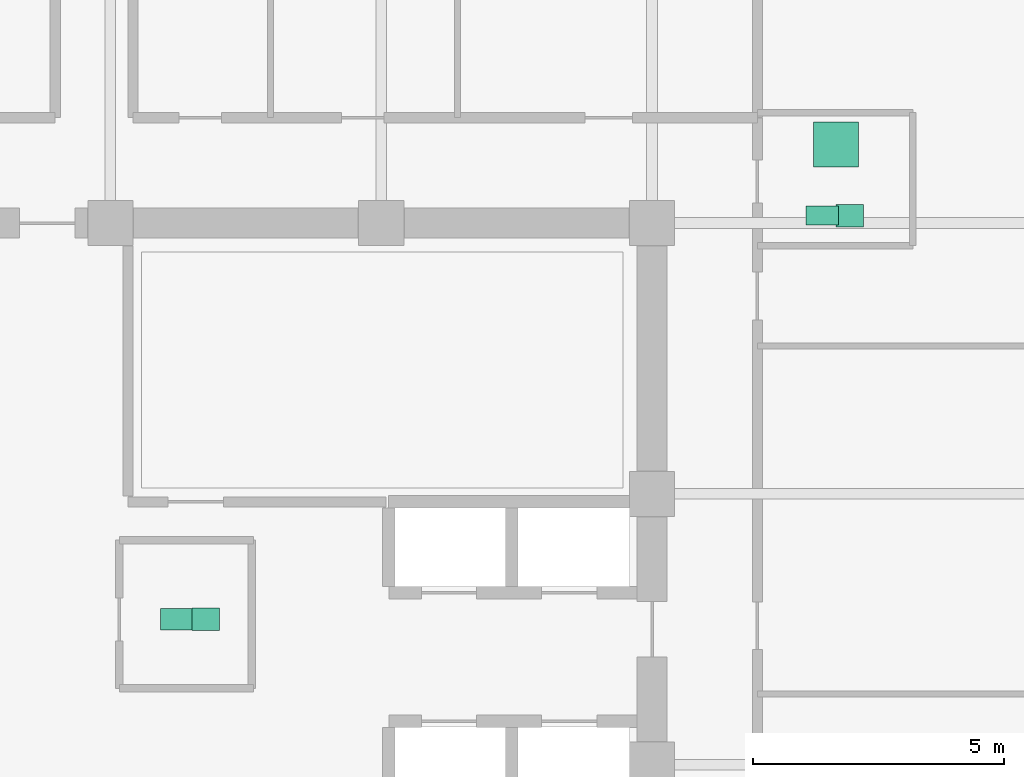
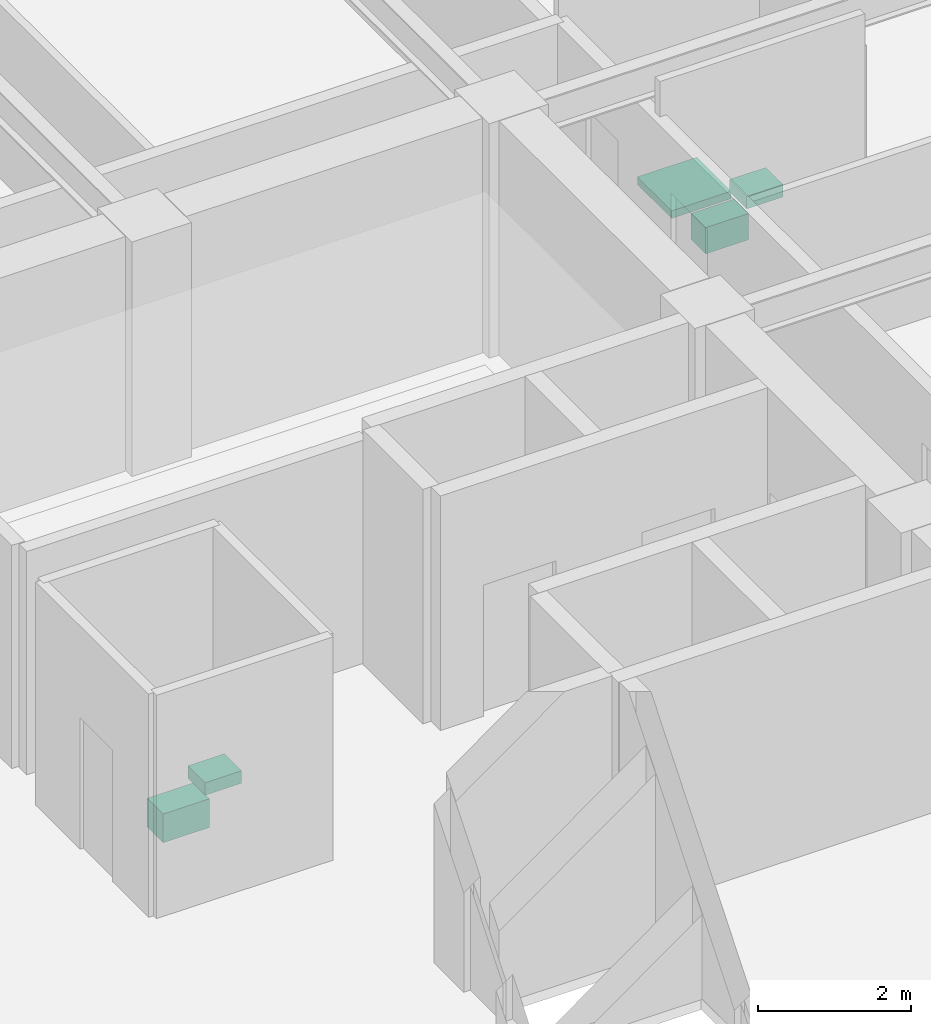
# One storey, part 32 of 32: 5 sanitary terminals.
"""IFC4 building model written with IfcOpenShell, lengths in metres."""

from ifc_helpers import new_model, si_unit, direction, frame, origin, origin_2d, place, context, subcontext, project, spatial, rectangle, extrude, material, type_object, element, save


model = new_model("IFC4")

# Units and contexts
model_context = context("Model", 3, precision=1e-05, world=origin(), true_north=direction((0.0, 1.0)))
body_context = subcontext(model_context, "Body", "Model", "MODEL_VIEW")
ifc_project = project(units=[si_unit("LENGTHUNIT", "METRE"), si_unit("AREAUNIT", "SQUARE_METRE"), si_unit("VOLUMEUNIT", "CUBIC_METRE"), si_unit("PLANEANGLEUNIT", "RADIAN"), si_unit("MASSUNIT", "GRAM", prefix="KILO")], contexts=[model_context])

# Site, building, storey
site_placement = place(None, origin())
site = spatial("IfcSite", under=ifc_project, at=site_placement, CompositionType="ELEMENT")
building_placement = place(site_placement, origin())
building = spatial("IfcBuilding", under=site, at=building_placement, Name="Surkhivell Harbour Commons", CompositionType="ELEMENT")
storey_placement = place(building_placement, frame((0.0, 0.0, 219.75)))
storey = spatial("IfcBuildingStorey", under=building, at=storey_placement, Name="L57", CompositionType="ELEMENT", Elevation=219.75)

# Sanitary terminals
ifc_material_1 = material(Name="Vitreous china washbasin", Category="other")
sanitary_terminal_type_1 = type_object("IfcSanitaryTerminalType", Name="SAN-BSN", PredefinedType="WASHHANDBASIN", material=ifc_material_1)
for number, where, z_axis, x_axis, name in (
    (1, (1.89990234375, 2.89990234375, 0.72021484375), (0.0, 0.0, 1.0), (1.0, 0.0, 0.0), "L57 Core Accessible WC Washbasin"),
    (2, (14.739990234375, 10.949951171875, 0.72021484375), (0.0, 0.0, 1.0), (1.0, 0.0, 0.0), "L57 East Communal Bathroom WC Washbasin"),
):
    element("IfcSanitaryTerminal", number, at=place(storey_placement, frame(where, z_axis=z_axis, x_axis=x_axis)), inside=storey, type_object=sanitary_terminal_type_1, Name=name, PredefinedType="WASHHANDBASIN", context=body_context, shape_type="SweptSolid", body=[
        extrude(rectangle(XDim=0.550048828125, YDim=0.449951171875, at=origin_2d()), origin(), (0.0, 0.0, 1.0), 0.199951171875),
    ])
ifc_material_2 = material(Name="Glazed porcelain shower tray", Category="other")
sanitary_terminal_type_2 = type_object("IfcSanitaryTerminalType", Name="SAN-SHW", PredefinedType="SHOWER", material=ifc_material_2)
sanitary_terminal_1_placement = place(storey_placement, frame((14.469970703125, 12.3701171875, 0.0), z_axis=(0.0, 0.0, 1.0), x_axis=(1.0, 0.0, 0.0)))
element("IfcSanitaryTerminal", 3, at=sanitary_terminal_1_placement, inside=storey, type_object=sanitary_terminal_type_2, Name="L57 East Communal Shower Tray", PredefinedType="SHOWER", context=body_context, shape_type="SweptSolid", body=[
    extrude(rectangle(XDim=0.89990234375, YDim=0.89990234375, at=origin_2d()), origin(), (0.0, 0.0, 1.0), 0.1201171875),
])
ifc_material_3 = material(Name="Vitreous china sanitaryware", Category="other")
sanitary_terminal_type_3 = type_object("IfcSanitaryTerminalType", Name="SAN-WC-ACC", PredefinedType="TOILETPAN", material=ifc_material_3)
sanitary_terminal_2_placement = place(storey_placement, frame((1.35009765625, 2.89990234375, 0.169921875), z_axis=(0.0, 0.0, 1.0), x_axis=(1.0, 0.0, 0.0)))
element("IfcSanitaryTerminal", 4, at=sanitary_terminal_2_placement, inside=storey, type_object=sanitary_terminal_type_3, Name="L57 Core Accessible WC", PredefinedType="TOILETPAN", context=body_context, shape_type="SweptSolid", body=[
    extrude(rectangle(XDim=0.699951171875, YDim=0.419921875, at=origin_2d()), origin(), (0.0, 0.0, 1.0), 0.4599609375),
])
sanitary_terminal_type_4 = type_object("IfcSanitaryTerminalType", Name="SAN-WC-STD", PredefinedType="TOILETPAN", material=ifc_material_3)
sanitary_terminal_3_placement = place(storey_placement, frame((14.18994140625, 10.949951171875, 0.18994140625), z_axis=(0.0, 0.0, 1.0), x_axis=(1.0, 0.0, 0.0)))
element("IfcSanitaryTerminal", 5, at=sanitary_terminal_3_placement, inside=storey, type_object=sanitary_terminal_type_4, Name="L57 East Communal Bathroom WC", PredefinedType="TOILETPAN", context=body_context, shape_type="SweptSolid", body=[
    extrude(rectangle(XDim=0.64990234375, YDim=0.3798828125, at=origin_2d()), origin(), (0.0, 0.0, 1.0), 0.419921875),
])

save(model, "model.ifc")
